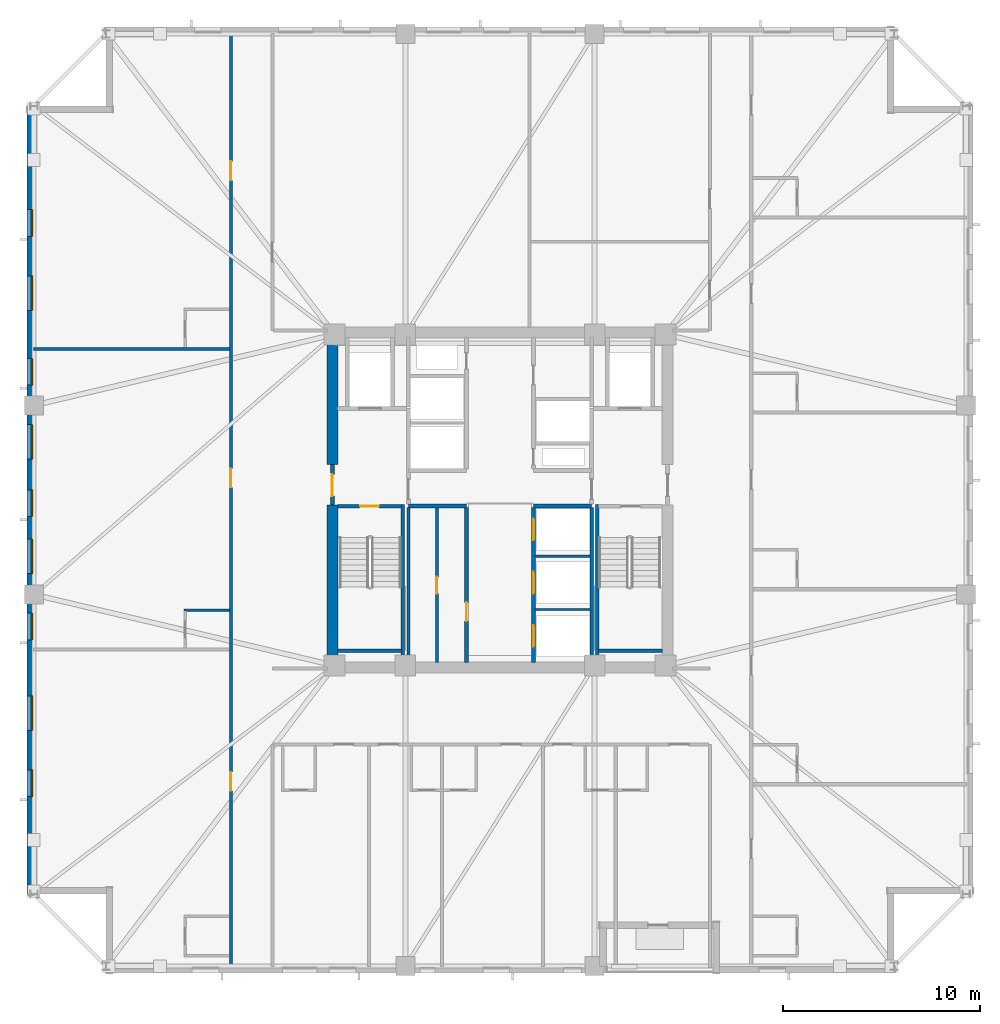
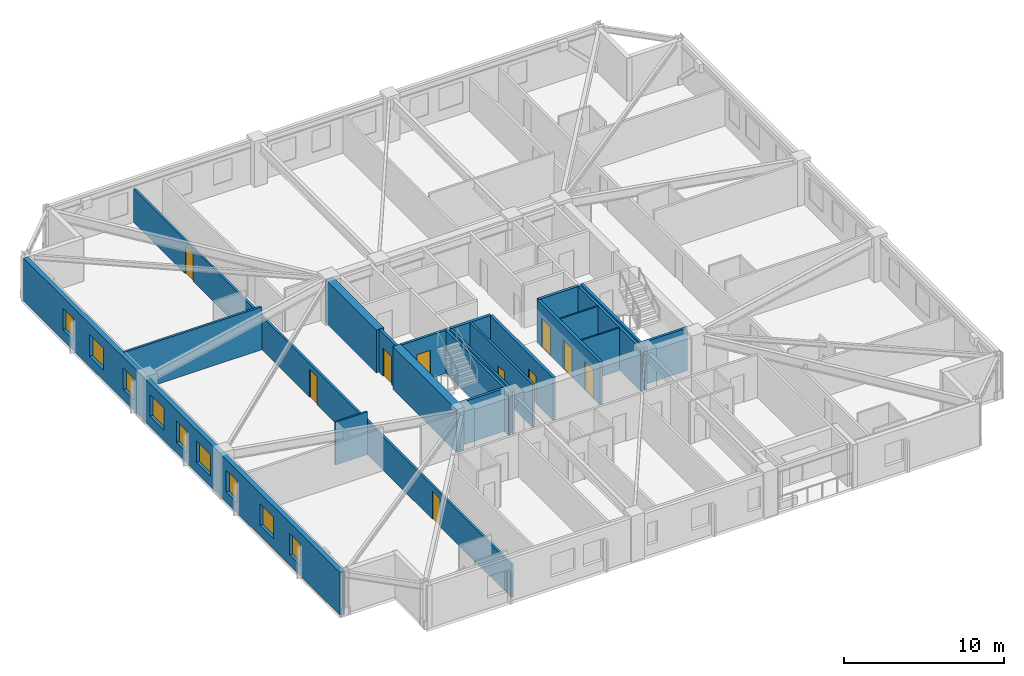
# One storey, part 3 of 11: 21 walls, 10 doors, 9 windows, 19 openings.
"""IFC4 building model written with IfcOpenShell, lengths in metres."""

import ifcopenshell
import ifcopenshell.guid

model = None  # the IFC model being written
_history = None  # IfcOwnerHistory: only IFC2X3 demands one
_inside = {}  # id of a spatial element -> (the spatial element, [elements in it])
_under = {}  # id of a project, library or spatial element -> (it, [spatial elements below it])
_declared = {}  # id of a project -> (the project, [libraries it declares])
_typed = {}  # id of a type object -> (the type object, [elements of that type])
_made_of = {}  # id of a material, layer set ... -> (it, [elements and type objects made of it])


def new_model(schema):
    """Start an empty IFC model of exactly this schema.

    Asked for "IFC4X3", IfcOpenShell would pick the latest addendum, in which some entities
    have other attributes; the version numbers below select the first issue.
    IFC2X3 requires an IfcOwnerHistory on every rooted entity: one is made here for all.
    """
    global model, _history
    if schema == "IFC4X3":
        model = ifcopenshell.file(schema_version=(4, 3, 0, 0))
    else:
        model = ifcopenshell.file(schema=schema)
    _inside.clear()
    _under.clear()
    _declared.clear()
    _typed.clear()
    _made_of.clear()
    _history = None
    if model.schema == "IFC2X3":
        org = make("IfcOrganization", Name="unknown")
        user = make(
            "IfcPersonAndOrganization",
            ThePerson=make("IfcPerson", FamilyName="unknown"),
            TheOrganization=org,
        )
        app = make(
            "IfcApplication",
            ApplicationDeveloper=org,
            Version="unknown",
            ApplicationFullName="unknown",
            ApplicationIdentifier="unknown",
        )
        _history = make(
            "IfcOwnerHistory",
            OwningUser=user,
            OwningApplication=app,
            ChangeAction="ADDED",
            CreationDate=0,
        )
    return model


def make(cls, **values):
    """One entity of the class cls with the attributes given. An attribute that is None is left unset."""
    return model.create_entity(
        cls, **{name: value for name, value in values.items() if value is not None}
    )


def rooted(cls, **values):
    """An entity with a GlobalId (a new one), such as an element, a storey or a relation."""
    return make(cls, GlobalId=ifcopenshell.guid.new(), OwnerHistory=_history, **values)


def si_unit(unit_type, name, prefix=None):
    """IfcSIUnit, for example si_unit("LENGTHUNIT", "METRE", prefix="MILLI")."""
    return make("IfcSIUnit", UnitType=unit_type, Prefix=prefix, Name=name)


def assignment(units):
    """IfcUnitAssignment: the units of a project."""
    return None if units is None else make("IfcUnitAssignment", Units=units)


def point(xyz):
    """IfcCartesianPoint."""
    return None if xyz is None else make("IfcCartesianPoint", Coordinates=xyz)


def direction(xyz):
    """IfcDirection."""
    return None if xyz is None else make("IfcDirection", DirectionRatios=xyz)


def frame(location, z_axis=None, x_axis=None):
    """IfcAxis2Placement3D, a coordinate frame: its origin and axes. An axis left out is left unset."""
    return make(
        "IfcAxis2Placement3D",
        Location=point(location),
        Axis=direction(z_axis),
        RefDirection=direction(x_axis),
    )


def frame_2d(location, x_axis=None):
    """IfcAxis2Placement2D, a coordinate frame in the plane: its origin and x axis."""
    return make(
        "IfcAxis2Placement2D", Location=point(location), RefDirection=direction(x_axis)
    )


def origin():
    """The frame at (0, 0, 0) with its axes left unset."""
    return frame((0.0, 0.0, 0.0))


def place(relative_to, where):
    """IfcLocalPlacement: puts the frame where relative to a parent placement (None: the world)."""
    return make(
        "IfcLocalPlacement", PlacementRelTo=relative_to, RelativePlacement=where
    )


def context(
    kind, dimensions, precision=None, world=None, true_north=None, identifier=None
):
    """IfcGeometricRepresentationContext, for example the 3D "Model" context."""
    return make(
        "IfcGeometricRepresentationContext",
        ContextIdentifier=identifier,
        ContextType=kind,
        CoordinateSpaceDimension=dimensions,
        Precision=precision,
        WorldCoordinateSystem=world,
        TrueNorth=true_north,
    )


def subcontext(parent, identifier, kind, view, scale=None):
    """IfcGeometricRepresentationSubContext, for example "Body" below "Model"."""
    return make(
        "IfcGeometricRepresentationSubContext",
        ContextIdentifier=identifier,
        ContextType=kind,
        ParentContext=parent,
        TargetScale=scale,
        TargetView=view,
    )


def project(units=None, contexts=None):
    """IfcProject with its units and contexts."""
    return rooted(
        "IfcProject",
        Name="project",
        RepresentationContexts=contexts,
        UnitsInContext=assignment(units),
    )


def spatial(cls, under=None, at=None, **own):
    """A site, building, storey or space (cls), placed at a placement, below another one or the project."""
    s = rooted(cls, ObjectPlacement=at, **own)
    if under is not None:
        _under.setdefault(under.id(), (under, []))[1].append(s)
    return s


def profile(cls, at=None, kind="AREA", **sizes):
    """A parametric profile (cls). Its sizes go by their IFC names, for example OverallWidth=200.0."""
    return make(cls, ProfileType=kind, Position=at, **sizes)


def rectangle(**sizes):
    """IfcRectangleProfileDef."""
    return profile("IfcRectangleProfileDef", **sizes)


def extrude(swept, where, along, depth):
    """IfcExtrudedAreaSolid: the profile swept, set in the frame where, extruded along a direction by depth."""
    return make(
        "IfcExtrudedAreaSolid",
        SweptArea=swept,
        Position=where,
        ExtrudedDirection=direction(along),
        Depth=depth,
    )


def shape(context_of_items, identifier, shape_type, items):
    """IfcShapeRepresentation: the items that make up one representation, for example the "Body"."""
    return make(
        "IfcShapeRepresentation",
        ContextOfItems=context_of_items,
        RepresentationIdentifier=identifier,
        RepresentationType=shape_type,
        Items=items,
    )


def material(Name=None, Category=None):
    """IfcMaterial."""
    return make("IfcMaterial", Name=Name, Category=Category)


def layer(
    of_material, thickness, ventilated=None, Name=None, Category=None, Priority=None
):
    """IfcMaterialLayer: one layer of a wall or slab, of a material (None: an air gap)."""
    return make(
        "IfcMaterialLayer",
        Material=of_material,
        LayerThickness=thickness,
        IsVentilated=ventilated,
        Name=Name,
        Category=Category,
        Priority=Priority,
    )


def layer_set(layers, Name=None):
    """IfcMaterialLayerSet."""
    return make("IfcMaterialLayerSet", MaterialLayers=layers, LayerSetName=Name)


def made_of(thing, what):
    """Note that an element or type object is made of a material, layer set ...; save() writes the relation."""
    if what is not None:
        _made_of.setdefault(what.id(), (what, []))[1].append(thing)
    return thing


def type_object(cls, material=None, **own):
    """A type object (cls), such as IfcWallType, which elements share."""
    return made_of(rooted(cls, **own), material)


def element(
    cls,
    number,
    at=None,
    inside=None,
    cuts=None,
    type_object=None,
    material=None,
    context=None,
    identifier="Body",
    shape_type=None,
    held_by="IfcProductDefinitionShape",
    body=None,
    shapes=None,
    **own,
):
    """One element of the class cls, such as IfcWall. Its Tag is "e" and its number.

    at: its placement. inside: the storey or other place that contains it. cuts: it is an
    opening in that element (IfcRelVoidsElement). A single representation is given by context,
    identifier, shape_type and body (its items); several are given by shapes. held_by: the class
    of the entity that holds the representations. save() writes the other relations.
    """
    e = rooted(cls, Tag="e%d" % number, ObjectPlacement=at, **own)
    if body is not None:
        shapes = [shape(context, identifier, shape_type, body)]
    if shapes is not None:
        e.Representation = make(held_by, Representations=shapes)
    if inside is not None:
        _inside.setdefault(inside.id(), (inside, []))[1].append(e)
    if cuts is not None:
        rooted(
            "IfcRelVoidsElement", RelatingBuildingElement=cuts, RelatedOpeningElement=e
        )
    if type_object is not None:
        _typed.setdefault(type_object.id(), (type_object, []))[1].append(e)
    return made_of(e, material)


def fill(opening, filler):
    """IfcRelFillsElement: the door or window that sits in an opening."""
    return rooted(
        "IfcRelFillsElement",
        RelatingOpeningElement=opening,
        RelatedBuildingElement=filler,
    )


def aggregate(whole, parts):
    """IfcRelAggregates: a whole, such as a stair, and the parts it consists of."""
    return rooted("IfcRelAggregates", RelatingObject=whole, RelatedObjects=parts)


def save(model, path):
    """Write the relations noted so far, then the file.

    IfcRelAggregates (storeys below a building ...), IfcRelContainedInSpatialStructure (elements
    in a storey), IfcRelDefinesByType, IfcRelAssociatesMaterial and IfcRelDeclares: one each for
    every whole, place, type object, material and project.
    """
    for whole, parts in _under.values():
        aggregate(whole, parts)
    for where, things in _inside.values():
        rooted(
            "IfcRelContainedInSpatialStructure",
            RelatedElements=things,
            RelatingStructure=where,
        )
    for kind, things in _typed.values():
        rooted("IfcRelDefinesByType", RelatedObjects=things, RelatingType=kind)
    for what, things in _made_of.values():
        rooted("IfcRelAssociatesMaterial", RelatedObjects=things, RelatingMaterial=what)
    for by, libraries in _declared.values():
        rooted("IfcRelDeclares", RelatingContext=by, RelatedDefinitions=libraries)
    model.write(path)


model = new_model("IFC4")

# Units and contexts
model_context = context("Model", 3, precision=1e-05, world=origin(), true_north=direction((0.0, 1.0)))
body_context = subcontext(model_context, "Body", "Model", "MODEL_VIEW")
ifc_project = project(units=[si_unit("LENGTHUNIT", "METRE"), si_unit("AREAUNIT", "SQUARE_METRE"), si_unit("VOLUMEUNIT", "CUBIC_METRE"), si_unit("PLANEANGLEUNIT", "RADIAN"), si_unit("MASSUNIT", "GRAM", prefix="KILO")], contexts=[model_context])

# Site, building, storey
site_placement = place(None, origin())
site = spatial("IfcSite", under=ifc_project, at=site_placement, CompositionType="ELEMENT")
building_placement = place(site_placement, origin())
building = spatial("IfcBuilding", under=site, at=building_placement, Name="Cairnveth Concourse Tower", CompositionType="ELEMENT")
storey_placement = place(building_placement, frame((0.0, 0.0, 162.0)))
storey = spatial("IfcBuildingStorey", under=building, at=storey_placement, Name="L44", CompositionType="ELEMENT", Elevation=162.0)

# Wall
ifc_material_1 = material(Name="Gypsum Plasterboard Partition", Category="gypsum")
ifc_layer_1 = layer(ifc_material_1, 0.159912109375)
ifc_layer_set_1 = layer_set([ifc_layer_1], Name="Gypsum Plasterboard Partition")
wall_type_1 = type_object("IfcWallType", Name="ACOUSTIC PARTY WALL 180", PredefinedType="PARTITIONING", material=ifc_layer_set_1)
wall_1_placement = place(storey_placement, frame((47.35009765625, 30.760009765625, 0.0), z_axis=(0.0, 0.0, 1.0), x_axis=(0.0, 1.0, 0.0)))
element("IfcWall", 1, at=wall_1_placement, inside=storey, type_object=wall_type_1, Name="Interior Wall IW-L44-025", PredefinedType="PARTITIONING", context=body_context, shape_type="SweptSolid", body=[
    extrude(rectangle(XDim=7.85498046875, YDim=0.159912109375, at=frame_2d((3.927490234375, 0.0))), origin(), (0.0, 0.0, 1.0), 3.280029296875),
])

# Wall, opening, door
wall_2_placement = place(storey_placement, frame((48.800048828125, 30.760009765625, 0.0), z_axis=(0.0, 0.0, 1.0), x_axis=(0.0, 1.0, 0.0)))
wall_2 = element("IfcWall", 2, at=wall_2_placement, inside=storey, type_object=wall_type_1, Name="Interior Wall IW-L44-026", PredefinedType="PARTITIONING", context=body_context, shape_type="SweptSolid", body=[
    extrude(rectangle(XDim=7.85498046875, YDim=0.159912109375, at=frame_2d((3.927490234375, 0.0))), origin(), (0.0, 0.0, 1.0), 3.280029296875),
])
opening_1_placement = place(wall_2_placement, frame((3.489990234375, 0.0, 0.0)))
opening_1 = element("IfcOpeningElement", 3, at=opening_1_placement, cuts=wall_2, Name="Opening ID19", PredefinedType="OPENING", context=body_context, shape_type="SweptSolid", body=[
    extrude(rectangle(XDim=0.85009765625, YDim=2.1201171875, at=frame_2d((0.425048828125, 1.06005859375))), frame((0.0, 0.08984375, 0.0), z_axis=(0.0, -1.0, 0.0), x_axis=(1.0, 0.0, 0.0)), (0.0, 0.0, 1.0), 0.179931640625),
])
ifc_material_2 = material(Name="Steel Grade 350", Category="steel")
door_type_1 = type_object("IfcDoorType", Name="CORE SERVICE DOOR 850X2100", OperationType="NOTDEFINED", PredefinedType="DOOR", material=ifc_material_2)
door_1_placement = place(opening_1_placement, origin())
door_1 = element("IfcDoor", 4, at=door_1_placement, inside=storey, type_object=door_type_1, Name="Inner Store Door L44", OperationType="SINGLE_SWING_RIGHT", OverallHeight=2.1201171875, OverallWidth=0.85009765625, PredefinedType="DOOR", context=body_context, shape_type="SweptSolid", body=[
    extrude(rectangle(XDim=0.85009765625, YDim=2.1201171875, at=frame_2d((0.425048828125, 1.06005859375))), frame((0.0, 0.02490234375, 0.0), z_axis=(0.0, -1.0, 0.0), x_axis=(1.0, 0.0, 0.0)), (0.0, 0.0, 1.0), 0.050048828125),
])
fill(opening_1, door_1)

# Wall, openings, doors
wall_3_placement = place(storey_placement, frame((38.35009765625, 15.324951171875, 0.0), z_axis=(0.0, 0.0, 1.0), x_axis=(0.0, 1.0, 0.0)))
wall_3 = element("IfcWall", 5, at=wall_3_placement, inside=storey, type_object=wall_type_1, Name="Interior Wall IW-L44-036", PredefinedType="PARTITIONING", context=body_context, shape_type="SweptSolid", body=[
    extrude(rectangle(XDim=47.35009765625, YDim=0.159912109375, at=frame_2d((23.675048828125, 0.0))), origin(), (0.0, 0.0, 1.0), 2.554931640625),
])
opening_2_placement = place(wall_3_placement, frame((8.912353515625, 0.0, 0.0)))
opening_2 = element("IfcOpeningElement", 6, at=opening_2_placement, cuts=wall_3, Name="Opening ID09", PredefinedType="OPENING", context=body_context, shape_type="SweptSolid", body=[
    extrude(rectangle(XDim=0.9599609375, YDim=2.14990234375, at=frame_2d((0.47998046875, 1.074951171875))), frame((0.0, 0.08984375, 0.0), z_axis=(0.0, -1.0, 0.0), x_axis=(1.0, 0.0, 0.0)), (0.0, 0.0, 1.0), 0.179931640625),
])
opening_3_placement = place(wall_3_placement, frame((24.312255859375, 0.0, 0.0)))
opening_3 = element("IfcOpeningElement", 7, at=opening_3_placement, cuts=wall_3, Name="Opening ID09", PredefinedType="OPENING", context=body_context, shape_type="SweptSolid", body=[
    extrude(rectangle(XDim=0.9599609375, YDim=2.14990234375, at=frame_2d((0.47998046875, 1.074951171875))), frame((0.0, 0.08984375, 0.0), z_axis=(0.0, -1.0, 0.0), x_axis=(1.0, 0.0, 0.0)), (0.0, 0.0, 1.0), 0.179931640625),
])
opening_4_placement = place(wall_3_placement, frame((39.89501953125, 0.0, 0.0)))
opening_4 = element("IfcOpeningElement", 8, at=opening_4_placement, cuts=wall_3, Name="Opening ID09", PredefinedType="OPENING", context=body_context, shape_type="SweptSolid", body=[
    extrude(rectangle(XDim=0.9599609375, YDim=2.14990234375, at=frame_2d((0.47998046875, 1.074951171875))), frame((0.0, 0.08984375, 0.0), z_axis=(0.0, -1.0, 0.0), x_axis=(1.0, 0.0, 0.0)), (0.0, 0.0, 1.0), 0.179931640625),
])
ifc_material_3 = material(Name="Solid Core Hardwood Timber Leaf", Category="wood")
door_type_2 = type_object("IfcDoorType", Name="HOTEL ENTRANCE DOOR 960X2150", OperationType="NOTDEFINED", PredefinedType="DOOR", material=ifc_material_3)
door_2_placement = place(opening_2_placement, origin())
door_2 = element("IfcDoor", 9, at=door_2_placement, inside=storey, type_object=door_type_2, Name="Hotel Room Door L44-W1", OperationType="SINGLE_SWING_LEFT", OverallHeight=2.14990234375, OverallWidth=0.9599609375, PredefinedType="DOOR", context=body_context, shape_type="SweptSolid", body=[
    extrude(rectangle(XDim=0.9599609375, YDim=2.14990234375, at=frame_2d((0.47998046875, 1.074951171875))), frame((0.0, 0.02490234375, 0.0), z_axis=(0.0, -1.0, 0.0), x_axis=(1.0, 0.0, 0.0)), (0.0, 0.0, 1.0), 0.050048828125),
])
fill(opening_2, door_2)
door_3_placement = place(opening_3_placement, origin())
door_3 = element("IfcDoor", 10, at=door_3_placement, inside=storey, type_object=door_type_2, Name="Hotel Room Door L44-W2", OperationType="SINGLE_SWING_LEFT", OverallHeight=2.14990234375, OverallWidth=0.9599609375, PredefinedType="DOOR", context=body_context, shape_type="SweptSolid", body=[
    extrude(rectangle(XDim=0.9599609375, YDim=2.14990234375, at=frame_2d((0.47998046875, 1.074951171875))), frame((0.0, 0.02490234375, 0.0), z_axis=(0.0, -1.0, 0.0), x_axis=(1.0, 0.0, 0.0)), (0.0, 0.0, 1.0), 0.050048828125),
])
fill(opening_3, door_3)
door_4_placement = place(opening_4_placement, origin())
door_4 = element("IfcDoor", 11, at=door_4_placement, inside=storey, type_object=door_type_2, Name="Hotel Room Door L44-W3", OperationType="SINGLE_SWING_LEFT", OverallHeight=2.14990234375, OverallWidth=0.9599609375, PredefinedType="DOOR", context=body_context, shape_type="SweptSolid", body=[
    extrude(rectangle(XDim=0.9599609375, YDim=2.14990234375, at=frame_2d((0.47998046875, 1.074951171875))), frame((0.0, 0.02490234375, 0.0), z_axis=(0.0, -1.0, 0.0), x_axis=(1.0, 0.0, 0.0)), (0.0, 0.0, 1.0), 0.050048828125),
])
fill(opening_4, door_4)

# Walls
wall_4_placement = place(storey_placement, frame((28.324951171875, 46.669921875, 0.0), z_axis=(0.0, 0.0, 1.0), x_axis=(1.0, 0.0, 0.0)))
element("IfcWall", 12, at=wall_4_placement, inside=storey, type_object=wall_type_1, Name="Interior Wall IW-L44-070", PredefinedType="PARTITIONING", context=body_context, shape_type="SweptSolid", body=[
    extrude(rectangle(XDim=9.945068359375, YDim=0.159912109375, at=frame_2d((4.97265625, 0.0))), origin(), (0.0, 0.0, 1.0), 3.280029296875),
])
ifc_material_4 = material(Name="Concrete N80 (80 MPa)", Category="concrete")
ifc_layer_2 = layer(ifc_material_4, 0.550048828125)
ifc_layer_set_2 = layer_set([ifc_layer_2], Name="Concrete N80 (80 MPa)")
wall_type_2 = type_object("IfcWallType", Name="CORE SHEAR WALL 550", PredefinedType="SHEAR", material=ifc_layer_set_2)
wall_5_placement = place(storey_placement, frame((43.5, 30.764892578125, 0.0), z_axis=(0.0, 0.0, 1.0), x_axis=(0.0, 1.0, 0.0)))
element("IfcWall", 13, at=wall_5_placement, inside=storey, type_object=wall_type_2, Name="Core West Shear Wall S L44", PredefinedType="SHEAR", context=body_context, shape_type="SweptSolid", body=[
    extrude(rectangle(XDim=7.985107421875, YDim=0.550048828125, at=frame_2d((3.99267578125, 0.0))), origin(), (0.0, 0.0, 1.0), 3.280029296875),
])
wall_6_placement = place(storey_placement, frame((43.5, 40.800048828125, 0.0), z_axis=(0.0, 0.0, 1.0), x_axis=(0.0, 1.0, 0.0)))
element("IfcWall", 14, at=wall_6_placement, inside=storey, type_object=wall_type_2, Name="Core West Shear Wall N L44", PredefinedType="SHEAR", context=body_context, shape_type="SweptSolid", body=[
    extrude(rectangle(XDim=6.43505859375, YDim=0.550048828125, at=frame_2d((3.217529296875, 0.0))), origin(), (0.0, 0.0, 1.0), 3.280029296875),
])
ifc_material_5 = material(Name="Concrete N50 (50 MPa)", Category="concrete")
ifc_layer_3 = layer(ifc_material_5, 0.179931640625)
ifc_layer_set_3 = layer_set([ifc_layer_3], Name="Concrete N50 (50 MPa)")
wall_type_3 = type_object("IfcWallType", Name="FIRE SHAFT WALL 180", PredefinedType="SOLIDWALL", material=ifc_layer_set_3)
wall_7_placement = place(storey_placement, frame((56.64990234375, 30.760009765625, 0.0), z_axis=(0.0, 0.0, 1.0), x_axis=(0.0, 1.0, 0.0)))
element("IfcWall", 15, at=wall_7_placement, inside=storey, type_object=wall_type_3, Name="Interior Wall IW-L44-027", PredefinedType="SOLIDWALL", context=body_context, shape_type="SweptSolid", body=[
    extrude(rectangle(XDim=7.85498046875, YDim=0.179931640625, at=frame_2d((3.927490234375, 0.0))), origin(), (0.0, 0.0, 1.0), 3.280029296875),
])

# Wall, opening, door
wall_8_placement = place(storey_placement, frame((43.764892578125, 38.68994140625, 0.0), z_axis=(0.0, 0.0, 1.0), x_axis=(1.0, 0.0, 0.0)))
wall_8 = element("IfcWall", 16, at=wall_8_placement, inside=storey, type_object=wall_type_3, Name="Stair ST-1 Shaft Wall NEAR L44", PredefinedType="SOLIDWALL", context=body_context, shape_type="SweptSolid", body=[
    extrude(rectangle(XDim=3.230224609375, YDim=0.179931640625, at=frame_2d((1.615234375, 0.0))), origin(), (0.0, 0.0, 1.0), 3.280029296875),
])
opening_5_placement = place(wall_8_placement, frame((1.139892578125, 0.0, 0.0)))
opening_5 = element("IfcOpeningElement", 17, at=opening_5_placement, cuts=wall_8, Name="Opening ID12", PredefinedType="OPENING", context=body_context, shape_type="SweptSolid", body=[
    extrude(rectangle(XDim=0.949951171875, YDim=2.14990234375, at=frame_2d((0.47509765625, 1.074951171875))), frame((0.0, 0.099853515625, 0.0), z_axis=(0.0, -1.0, 0.0), x_axis=(1.0, 0.0, 0.0)), (0.0, 0.0, 1.0), 0.199951171875),
])
door_type_3 = type_object("IfcDoorType", Name="FIRE STAIR DOOR 950X2150", OperationType="NOTDEFINED", PredefinedType="DOOR", material=ifc_material_2)
door_5_placement = place(opening_5_placement, origin())
door_5 = element("IfcDoor", 18, at=door_5_placement, inside=storey, type_object=door_type_3, Name="Stair ST-1 Fire Door L44", OperationType="SINGLE_SWING_LEFT", OverallHeight=2.14990234375, OverallWidth=0.949951171875, PredefinedType="DOOR", context=body_context, shape_type="SweptSolid", body=[
    extrude(rectangle(XDim=0.949951171875, YDim=2.14990234375, at=frame_2d((0.47509765625, 1.074951171875))), frame((0.0, 0.02490234375, 0.0), z_axis=(0.0, -1.0, 0.0), x_axis=(1.0, 0.0, 0.0)), (0.0, 0.0, 1.0), 0.050048828125),
])
fill(opening_5, door_5)

# Walls
wall_9_placement = place(storey_placement, frame((43.764892578125, 31.360107421875, 0.0), z_axis=(0.0, 0.0, 1.0), x_axis=(1.0, 0.0, 0.0)))
element("IfcWall", 19, at=wall_9_placement, inside=storey, type_object=wall_type_3, Name="Stair ST-1 Shaft Wall FAR L44", PredefinedType="SOLIDWALL", context=body_context, shape_type="SweptSolid", body=[
    extrude(rectangle(XDim=3.230224609375, YDim=0.179931640625, at=frame_2d((1.615234375, 0.0))), origin(), (0.0, 0.0, 1.0), 3.280029296875),
])
wall_10_placement = place(storey_placement, frame((47.070068359375, 38.780029296875, 0.0), z_axis=(0.0, 0.0, 1.0), x_axis=(0.0, -1.0, 0.0)))
element("IfcWall", 20, at=wall_10_placement, inside=storey, type_object=wall_type_3, Name="Stair ST-1 Shaft Wall RGHT L44", PredefinedType="SOLIDWALL", context=body_context, shape_type="SweptSolid", body=[
    extrude(rectangle(XDim=8.01708984375, YDim=0.179931640625, at=frame_2d((4.008544921875, 0.0))), origin(), (0.0, 0.0, 1.0), 3.280029296875),
])
wall_11_placement = place(storey_placement, frame((57.0048828125, 31.360107421875, 0.0), z_axis=(0.0, 0.0, 1.0), x_axis=(1.0, 0.0, 0.0)))
element("IfcWall", 21, at=wall_11_placement, inside=storey, type_object=wall_type_3, Name="Stair ST-2 Shaft Wall FAR L44", PredefinedType="SOLIDWALL", context=body_context, shape_type="SweptSolid", body=[
    extrude(rectangle(XDim=3.230224609375, YDim=0.179931640625, at=frame_2d((1.615234375, 0.0))), origin(), (0.0, 0.0, 1.0), 3.280029296875),
])
wall_12_placement = place(storey_placement, frame((56.929931640625, 38.780029296875, 0.0), z_axis=(0.0, 0.0, 1.0), x_axis=(0.0, -1.0, 0.0)))
element("IfcWall", 22, at=wall_12_placement, inside=storey, type_object=wall_type_3, Name="Stair ST-2 Shaft Wall LEFT L44", PredefinedType="SOLIDWALL", context=body_context, shape_type="SweptSolid", body=[
    extrude(rectangle(XDim=8.01708984375, YDim=0.179931640625, at=frame_2d((4.008544921875, 0.0))), origin(), (0.0, 0.0, 1.0), 3.280029296875),
])
ifc_layer_4 = layer(ifc_material_5, 0.199951171875)
ifc_layer_set_4 = layer_set([ifc_layer_4], Name="Concrete N50 (50 MPa)")
wall_type_4 = type_object("IfcWallType", Name="FIRE SHAFT WALL 200", PredefinedType="SOLIDWALL", material=ifc_layer_set_4)
for number, where, z_axis, x_axis, name in (
    (23, (47.35009765625, 38.699951171875, 0.0), (0.0, 0.0, 1.0), (1.0, 0.0, 0.0), "Interior Wall IW-L44-007"),
    (24, (53.699951171875, 38.699951171875, 0.0), (0.0, 0.0, 1.0), (1.0, 0.0, 0.0), "Interior Wall IW-L44-009"),
):
    element("IfcWall", number, at=place(storey_placement, frame(where, z_axis=z_axis, x_axis=x_axis)), inside=storey, type_object=wall_type_4, Name=name, PredefinedType="SOLIDWALL", context=body_context, shape_type="SweptSolid", body=[
        extrude(rectangle(XDim=2.949951171875, YDim=0.199951171875, at=frame_2d((1.47509765625, 0.0))), origin(), (0.0, 0.0, 1.0), 3.280029296875),
    ])

# Wall, opening, door
wall_13_placement = place(storey_placement, frame((50.300048828125, 30.760009765625, 0.0), z_axis=(0.0, 0.0, 1.0), x_axis=(0.0, 1.0, 0.0)))
wall_13 = element("IfcWall", 25, at=wall_13_placement, inside=storey, type_object=wall_type_4, Name="Interior Wall IW-L44-011", PredefinedType="SOLIDWALL", context=body_context, shape_type="SweptSolid", body=[
    extrude(rectangle(XDim=7.85498046875, YDim=0.199951171875, at=frame_2d((3.927490234375, 0.0))), origin(), (0.0, 0.0, 1.0), 3.280029296875),
])
opening_6_placement = place(wall_13_placement, frame((2.090087890625, 0.0, 0.0)))
opening_6 = element("IfcOpeningElement", 26, at=opening_6_placement, cuts=wall_13, Name="Opening ID25", PredefinedType="OPENING", context=body_context, shape_type="SweptSolid", body=[
    extrude(rectangle(XDim=0.949951171875, YDim=2.1201171875, at=frame_2d((0.47509765625, 1.06005859375))), frame((0.0, 0.10986328125, 0.0), z_axis=(0.0, -1.0, 0.0), x_axis=(1.0, 0.0, 0.0)), (0.0, 0.0, 1.0), 0.219970703125),
])
door_type_4 = type_object("IfcDoorType", Name="CORE ACCESSIBLE FIRE DOOR 950X2120", OperationType="NOTDEFINED", PredefinedType="DOOR", material=ifc_material_2)
door_6_placement = place(opening_6_placement, origin())
door_6 = element("IfcDoor", 27, at=door_6_placement, inside=storey, type_object=door_type_4, Name="Accessible WC Suite Door L44", OperationType="SINGLE_SWING_LEFT", OverallHeight=2.1201171875, OverallWidth=0.949951171875, PredefinedType="DOOR", context=body_context, shape_type="SweptSolid", body=[
    extrude(rectangle(XDim=0.949951171875, YDim=2.1201171875, at=frame_2d((0.47509765625, 1.06005859375))), frame((0.0, 0.02490234375, 0.0), z_axis=(0.0, -1.0, 0.0), x_axis=(1.0, 0.0, 0.0)), (0.0, 0.0, 1.0), 0.050048828125),
])
fill(opening_6, door_6)

# Wall, openings, doors
wall_14_placement = place(storey_placement, frame((53.699951171875, 30.760009765625, 0.0), z_axis=(0.0, 0.0, 1.0), x_axis=(0.0, 1.0, 0.0)))
wall_14 = element("IfcWall", 28, at=wall_14_placement, inside=storey, type_object=wall_type_4, Name="Interior Wall IW-L44-012", PredefinedType="SOLIDWALL", context=body_context, shape_type="SweptSolid", body=[
    extrude(rectangle(XDim=7.85498046875, YDim=0.199951171875, at=frame_2d((3.927490234375, 0.0))), origin(), (0.0, 0.0, 1.0), 3.280029296875),
])
opening_7_placement = place(wall_14_placement, frame((0.7900390625, 0.0, 0.0)))
opening_7 = element("IfcOpeningElement", 29, at=opening_7_placement, cuts=wall_14, Name="Opening LD-1", PredefinedType="OPENING", context=body_context, shape_type="SweptSolid", body=[
    extrude(rectangle(XDim=1.10009765625, YDim=2.199951171875, at=frame_2d((0.550048828125, 1.10009765625))), frame((0.0, 0.10986328125, 0.0), z_axis=(0.0, -1.0, 0.0), x_axis=(1.0, 0.0, 0.0)), (0.0, 0.0, 1.0), 0.219970703125),
])
opening_8_placement = place(wall_14_placement, frame((3.489990234375, 0.0, 0.0)))
opening_8 = element("IfcOpeningElement", 30, at=opening_8_placement, cuts=wall_14, Name="Opening LD-1", PredefinedType="OPENING", context=body_context, shape_type="SweptSolid", body=[
    extrude(rectangle(XDim=1.10009765625, YDim=2.199951171875, at=frame_2d((0.550048828125, 1.10009765625))), frame((0.0, 0.10986328125, 0.0), z_axis=(0.0, -1.0, 0.0), x_axis=(1.0, 0.0, 0.0)), (0.0, 0.0, 1.0), 0.219970703125),
])
opening_9_placement = place(wall_14_placement, frame((6.18994140625, 0.0, 0.0)))
opening_9 = element("IfcOpeningElement", 31, at=opening_9_placement, cuts=wall_14, Name="Opening LD-1", PredefinedType="OPENING", context=body_context, shape_type="SweptSolid", body=[
    extrude(rectangle(XDim=1.10009765625, YDim=2.199951171875, at=frame_2d((0.550048828125, 1.10009765625))), frame((0.0, 0.10986328125, 0.0), z_axis=(0.0, -1.0, 0.0), x_axis=(1.0, 0.0, 0.0)), (0.0, 0.0, 1.0), 0.219970703125),
])
ifc_material_6 = material(Name="Architectural Bronze Anodised Aluminium 6063-T6", Category="aluminium")
door_type_5 = type_object("IfcDoorType", Name="LIFT LANDING DOOR 1100X2200", OperationType="SLIDING_TO_LEFT", PredefinedType="DOOR", material=ifc_material_6)
door_7_placement = place(opening_7_placement, origin())
door_7 = element("IfcDoor", 32, at=door_7_placement, inside=storey, type_object=door_type_5, Name="Lift PL4 Landing Door L44", OperationType="SLIDING_TO_LEFT", OverallHeight=2.199951171875, OverallWidth=1.10009765625, PredefinedType="DOOR", context=body_context, shape_type="SweptSolid", body=[
    extrude(rectangle(XDim=1.10009765625, YDim=2.199951171875, at=frame_2d((0.550048828125, 1.10009765625))), frame((0.0, 0.02490234375, 0.0), z_axis=(0.0, -1.0, 0.0), x_axis=(1.0, 0.0, 0.0)), (0.0, 0.0, 1.0), 0.050048828125),
])
fill(opening_7, door_7)
door_8_placement = place(opening_8_placement, origin())
door_8 = element("IfcDoor", 33, at=door_8_placement, inside=storey, type_object=door_type_5, Name="Lift PL5 Landing Door L44", OperationType="SLIDING_TO_LEFT", OverallHeight=2.199951171875, OverallWidth=1.10009765625, PredefinedType="DOOR", context=body_context, shape_type="SweptSolid", body=[
    extrude(rectangle(XDim=1.10009765625, YDim=2.199951171875, at=frame_2d((0.550048828125, 1.10009765625))), frame((0.0, 0.02490234375, 0.0), z_axis=(0.0, -1.0, 0.0), x_axis=(1.0, 0.0, 0.0)), (0.0, 0.0, 1.0), 0.050048828125),
])
fill(opening_8, door_8)
door_9_placement = place(opening_9_placement, origin())
door_9 = element("IfcDoor", 34, at=door_9_placement, inside=storey, type_object=door_type_5, Name="Lift PL6 Landing Door L44", OperationType="SLIDING_TO_LEFT", OverallHeight=2.199951171875, OverallWidth=1.10009765625, PredefinedType="DOOR", context=body_context, shape_type="SweptSolid", body=[
    extrude(rectangle(XDim=1.10009765625, YDim=2.199951171875, at=frame_2d((0.550048828125, 1.10009765625))), frame((0.0, 0.02490234375, 0.0), z_axis=(0.0, -1.0, 0.0), x_axis=(1.0, 0.0, 0.0)), (0.0, 0.0, 1.0), 0.050048828125),
])
fill(opening_9, door_9)

# Wall, opening, door
wall_15_placement = place(storey_placement, frame((43.5, 38.75, 0.0), z_axis=(0.0, 0.0, 1.0), x_axis=(0.0, 1.0, 0.0)))
wall_15 = element("IfcWall", 35, at=wall_15_placement, inside=storey, type_object=wall_type_4, Name="Interior Wall IW-L44-015", PredefinedType="SOLIDWALL", context=body_context, shape_type="SweptSolid", body=[
    extrude(rectangle(XDim=2.050048828125, YDim=0.199951171875, at=frame_2d((1.02490234375, 0.0))), origin(), (0.0, 0.0, 1.0), 3.280029296875),
])
opening_10_placement = place(wall_15_placement, frame((0.449951171875, 0.0, 0.0)))
opening_10 = element("IfcOpeningElement", 36, at=opening_10_placement, cuts=wall_15, Name="Opening ID06", PredefinedType="OPENING", context=body_context, shape_type="SweptSolid", body=[
    extrude(rectangle(XDim=1.10009765625, YDim=2.14990234375, at=frame_2d((0.550048828125, 1.074951171875))), frame((0.0, 0.10986328125, 0.0), z_axis=(0.0, -1.0, 0.0), x_axis=(1.0, 0.0, 0.0)), (0.0, 0.0, 1.0), 0.219970703125),
])
door_type_6 = type_object("IfcDoorType", Name="FIRE CORRIDOR DOOR 1100X2150", OperationType="NOTDEFINED", PredefinedType="DOOR", material=ifc_material_2)
door_10_placement = place(opening_10_placement, origin())
door_10 = element("IfcDoor", 37, at=door_10_placement, inside=storey, type_object=door_type_6, Name="West Wing to FF Lobby Door L44", OperationType="SINGLE_SWING_LEFT", OverallHeight=2.14990234375, OverallWidth=1.10009765625, PredefinedType="DOOR", context=body_context, shape_type="SweptSolid", body=[
    extrude(rectangle(XDim=1.10009765625, YDim=2.14990234375, at=frame_2d((0.550048828125, 1.074951171875))), frame((0.0, 0.02490234375, 0.0), z_axis=(0.0, -1.0, 0.0), x_axis=(1.0, 0.0, 0.0)), (0.0, 0.0, 1.0), 0.050048828125),
])
fill(opening_10, door_10)

# Walls
ifc_layer_5 = layer(ifc_material_1, 0.110107421875)
ifc_layer_set_5 = layer_set([ifc_layer_5], Name="Gypsum Plasterboard Partition")
wall_type_5 = type_object("IfcWallType", Name="SHAFT DIVIDER WALL 140", PredefinedType="PARTITIONING", material=ifc_layer_set_5)
for number, where, z_axis, x_axis, name in (
    (38, (53.784912109375, 33.449951171875, 0.0), (0.0, 0.0, 1.0), (1.0, 0.0, 0.0), "Interior Wall IW-L44-028"),
    (39, (53.784912109375, 36.14990234375, 0.0), (0.0, 0.0, 1.0), (1.0, 0.0, 0.0), "Interior Wall IW-L44-029"),
):
    element("IfcWall", number, at=place(storey_placement, frame(where, z_axis=z_axis, x_axis=x_axis)), inside=storey, type_object=wall_type_5, Name=name, PredefinedType="PARTITIONING", context=body_context, shape_type="SweptSolid", body=[
        extrude(rectangle(XDim=2.7900390625, YDim=0.110107421875, at=frame_2d((1.39501953125, 0.0))), origin(), (0.0, 0.0, 1.0), 3.280029296875),
    ])
ifc_layer_6 = layer(ifc_material_1, 0.1298828125)
ifc_layer_set_6 = layer_set([ifc_layer_6], Name="Gypsum Plasterboard Partition")
wall_type_6 = type_object("IfcWallType", Name="WET AREA PARTITION 140", PredefinedType="PLUMBINGWALL", material=ifc_layer_set_6)
wall_16_placement = place(storey_placement, frame((35.969970703125, 33.41455078125, 0.0), z_axis=(0.0, 0.0, 1.0), x_axis=(1.0, 0.0, 0.0)))
element("IfcWall", 40, at=wall_16_placement, inside=storey, type_object=wall_type_6, Name="Interior Wall IW-L44-068", PredefinedType="PLUMBINGWALL", context=body_context, shape_type="SweptSolid", body=[
    extrude(rectangle(XDim=2.31494140625, YDim=0.1298828125, at=frame_2d((1.157470703125, 0.0))), origin(), (0.0, 0.0, 1.0), 3.280029296875),
])

# Wall, openings, windows
ifc_material_7 = material(Name="Hawthorn Red-Ochre Fired Clay Brick Masonry", Category="masonry")
ifc_layer_7 = layer(ifc_material_7, 0.340087890625)
ifc_layer_set_7 = layer_set([ifc_layer_7], Name="Hawthorn Red-Ochre Fired Clay Brick Masonry")
wall_type_7 = type_object("IfcWallType", Name="ZONE 2 BRICK PIER SPANDREL WALL 340", PredefinedType="SOLIDWALL", material=ifc_layer_set_7)
wall_17_placement = place(storey_placement, frame((28.169921875, 19.0, 0.0), z_axis=(0.0, 0.0, 1.0), x_axis=(0.0, 1.0, 0.0)))
wall_17 = element("IfcWall", 41, at=wall_17_placement, inside=storey, type_object=wall_type_7, Name="Exterior Wall EW-L44-S03", PredefinedType="SOLIDWALL", context=body_context, shape_type="SweptSolid", body=[
    extrude(rectangle(XDim=39.681884765625, YDim=0.340087890625, at=frame_2d((19.8408203125, 0.0))), origin(), (0.0, 0.0, 1.0), 3.280029296875),
])
opening_11_placement = place(wall_17_placement, frame((4.951904296875, 0.0, 0.800048828125)))
opening_11 = element("IfcOpeningElement", 42, at=opening_11_placement, cuts=wall_17, Name="Opening W02", PredefinedType="OPENING", context=body_context, shape_type="SweptSolid", body=[
    extrude(rectangle(XDim=1.35009765625, YDim=1.659912109375, at=frame_2d((0.675048828125, 0.830078125))), frame((0.0, 0.179931640625, 0.0), z_axis=(0.0, -1.0, 0.0), x_axis=(1.0, 0.0, 0.0)), (0.0, 0.0, 1.0), 0.360107421875),
])
opening_12_placement = place(wall_17_placement, frame((8.305419921875, 0.0, 0.800048828125)))
opening_12 = element("IfcOpeningElement", 43, at=opening_12_placement, cuts=wall_17, Name="Opening W06", PredefinedType="OPENING", context=body_context, shape_type="SweptSolid", body=[
    extrude(rectangle(XDim=1.75, YDim=1.659912109375, at=frame_2d((0.875, 0.830078125))), frame((0.0, 0.179931640625, 0.0), z_axis=(0.0, -1.0, 0.0), x_axis=(1.0, 0.0, 0.0)), (0.0, 0.0, 1.0), 0.360107421875),
])
opening_13_placement = place(wall_17_placement, frame((12.908935546875, 0.0, 0.800048828125)))
opening_13 = element("IfcOpeningElement", 44, at=opening_13_placement, cuts=wall_17, Name="Opening W02", PredefinedType="OPENING", context=body_context, shape_type="SweptSolid", body=[
    extrude(rectangle(XDim=1.35009765625, YDim=1.659912109375, at=frame_2d((0.675048828125, 0.830078125))), frame((0.0, 0.179931640625, 0.0), z_axis=(0.0, -1.0, 0.0), x_axis=(1.0, 0.0, 0.0)), (0.0, 0.0, 1.0), 0.360107421875),
])
opening_14_placement = place(wall_17_placement, frame((16.262451171875, 0.0, 0.800048828125)))
opening_14 = element("IfcOpeningElement", 45, at=opening_14_placement, cuts=wall_17, Name="Opening W06", PredefinedType="OPENING", context=body_context, shape_type="SweptSolid", body=[
    extrude(rectangle(XDim=1.75, YDim=1.659912109375, at=frame_2d((0.875, 0.830078125))), frame((0.0, 0.179931640625, 0.0), z_axis=(0.0, -1.0, 0.0), x_axis=(1.0, 0.0, 0.0)), (0.0, 0.0, 1.0), 0.360107421875),
])
opening_15_placement = place(wall_17_placement, frame((19.166015625, 0.0, 0.800048828125)))
opening_15 = element("IfcOpeningElement", 46, at=opening_15_placement, cuts=wall_17, Name="Opening W02", PredefinedType="OPENING", context=body_context, shape_type="SweptSolid", body=[
    extrude(rectangle(XDim=1.35009765625, YDim=1.659912109375, at=frame_2d((0.675048828125, 0.830078125))), frame((0.0, 0.179931640625, 0.0), z_axis=(0.0, -1.0, 0.0), x_axis=(1.0, 0.0, 0.0)), (0.0, 0.0, 1.0), 0.360107421875),
])
opening_16_placement = place(wall_17_placement, frame((22.069580078125, 0.0, 0.800048828125)))
opening_16 = element("IfcOpeningElement", 47, at=opening_16_placement, cuts=wall_17, Name="Opening W06", PredefinedType="OPENING", context=body_context, shape_type="SweptSolid", body=[
    extrude(rectangle(XDim=1.75, YDim=1.659912109375, at=frame_2d((0.875, 0.830078125))), frame((0.0, 0.179931640625, 0.0), z_axis=(0.0, -1.0, 0.0), x_axis=(1.0, 0.0, 0.0)), (0.0, 0.0, 1.0), 0.360107421875),
])
opening_17_placement = place(wall_17_placement, frame((25.822998046875, 0.0, 0.800048828125)))
opening_17 = element("IfcOpeningElement", 48, at=opening_17_placement, cuts=wall_17, Name="Opening W02", PredefinedType="OPENING", context=body_context, shape_type="SweptSolid", body=[
    extrude(rectangle(XDim=1.35009765625, YDim=1.659912109375, at=frame_2d((0.675048828125, 0.830078125))), frame((0.0, 0.179931640625, 0.0), z_axis=(0.0, -1.0, 0.0), x_axis=(1.0, 0.0, 0.0)), (0.0, 0.0, 1.0), 0.360107421875),
])
opening_18_placement = place(wall_17_placement, frame((29.626708984375, 0.0, 0.800048828125)))
opening_18 = element("IfcOpeningElement", 49, at=opening_18_placement, cuts=wall_17, Name="Opening W06", PredefinedType="OPENING", context=body_context, shape_type="SweptSolid", body=[
    extrude(rectangle(XDim=1.75, YDim=1.659912109375, at=frame_2d((0.875, 0.830078125))), frame((0.0, 0.179931640625, 0.0), z_axis=(0.0, -1.0, 0.0), x_axis=(1.0, 0.0, 0.0)), (0.0, 0.0, 1.0), 0.360107421875),
])
opening_19_placement = place(wall_17_placement, frame((33.380126953125, 0.0, 0.800048828125)))
opening_19 = element("IfcOpeningElement", 50, at=opening_19_placement, cuts=wall_17, Name="Opening W02", PredefinedType="OPENING", context=body_context, shape_type="SweptSolid", body=[
    extrude(rectangle(XDim=1.35009765625, YDim=1.659912109375, at=frame_2d((0.675048828125, 0.830078125))), frame((0.0, 0.179931640625, 0.0), z_axis=(0.0, -1.0, 0.0), x_axis=(1.0, 0.0, 0.0)), (0.0, 0.0, 1.0), 0.360107421875),
])
ifc_material_8 = material(Name="Double Glazed Low-E Clear Glass", Category="glass")
window_type_1 = type_object("IfcWindowType", Name="DEEP-SET GOTHIC LANCET WINDOW 1350X1800", PartitioningType="DOUBLE_PANEL_VERTICAL", PredefinedType="WINDOW", material=ifc_material_8)
window_1_placement = place(opening_11_placement, origin())
window_1 = element("IfcWindow", 51, at=window_1_placement, inside=storey, type_object=window_type_1, Name="Gothic Lancet Window L44-3-1", OverallHeight=1.659912109375, OverallWidth=1.35009765625, PartitioningType="SINGLE_PANEL", PredefinedType="WINDOW", context=body_context, shape_type="SweptSolid", body=[
    extrude(rectangle(XDim=1.35009765625, YDim=1.659912109375, at=frame_2d((0.675048828125, 0.830078125))), frame((0.0, -0.050048828125, 0.0), z_axis=(0.0, -1.0, 0.0), x_axis=(1.0, 0.0, 0.0)), (0.0, 0.0, 1.0), 0.06005859375),
])
fill(opening_11, window_1)
window_2_placement = place(opening_13_placement, origin())
window_2 = element("IfcWindow", 52, at=window_2_placement, inside=storey, type_object=window_type_1, Name="Gothic Lancet Window L44-3-3", OverallHeight=1.659912109375, OverallWidth=1.35009765625, PartitioningType="SINGLE_PANEL", PredefinedType="WINDOW", context=body_context, shape_type="SweptSolid", body=[
    extrude(rectangle(XDim=1.35009765625, YDim=1.659912109375, at=frame_2d((0.675048828125, 0.830078125))), frame((0.0, -0.050048828125, 0.0), z_axis=(0.0, -1.0, 0.0), x_axis=(1.0, 0.0, 0.0)), (0.0, 0.0, 1.0), 0.06005859375),
])
fill(opening_13, window_2)
window_3_placement = place(opening_15_placement, origin())
window_3 = element("IfcWindow", 53, at=window_3_placement, inside=storey, type_object=window_type_1, Name="Gothic Lancet Window L44-3-5", OverallHeight=1.659912109375, OverallWidth=1.35009765625, PartitioningType="SINGLE_PANEL", PredefinedType="WINDOW", context=body_context, shape_type="SweptSolid", body=[
    extrude(rectangle(XDim=1.35009765625, YDim=1.659912109375, at=frame_2d((0.675048828125, 0.830078125))), frame((0.0, -0.050048828125, 0.0), z_axis=(0.0, -1.0, 0.0), x_axis=(1.0, 0.0, 0.0)), (0.0, 0.0, 1.0), 0.06005859375),
])
fill(opening_15, window_3)
window_4_placement = place(opening_17_placement, origin())
window_4 = element("IfcWindow", 54, at=window_4_placement, inside=storey, type_object=window_type_1, Name="Gothic Lancet Window L44-3-7", OverallHeight=1.659912109375, OverallWidth=1.35009765625, PartitioningType="SINGLE_PANEL", PredefinedType="WINDOW", context=body_context, shape_type="SweptSolid", body=[
    extrude(rectangle(XDim=1.35009765625, YDim=1.659912109375, at=frame_2d((0.675048828125, 0.830078125))), frame((0.0, -0.050048828125, 0.0), z_axis=(0.0, -1.0, 0.0), x_axis=(1.0, 0.0, 0.0)), (0.0, 0.0, 1.0), 0.06005859375),
])
fill(opening_17, window_4)
window_5_placement = place(opening_19_placement, origin())
window_5 = element("IfcWindow", 55, at=window_5_placement, inside=storey, type_object=window_type_1, Name="Gothic Lancet Window L44-3-9", OverallHeight=1.659912109375, OverallWidth=1.35009765625, PartitioningType="SINGLE_PANEL", PredefinedType="WINDOW", context=body_context, shape_type="SweptSolid", body=[
    extrude(rectangle(XDim=1.35009765625, YDim=1.659912109375, at=frame_2d((0.675048828125, 0.830078125))), frame((0.0, -0.050048828125, 0.0), z_axis=(0.0, -1.0, 0.0), x_axis=(1.0, 0.0, 0.0)), (0.0, 0.0, 1.0), 0.06005859375),
])
fill(opening_19, window_5)
window_type_2 = type_object("IfcWindowType", Name="DEEP-SET HOTEL SUITE WINDOW 1750X1800", PartitioningType="DOUBLE_PANEL_VERTICAL", PredefinedType="WINDOW", material=ifc_material_8)
window_6_placement = place(opening_12_placement, origin())
window_6 = element("IfcWindow", 56, at=window_6_placement, inside=storey, type_object=window_type_2, Name="Gothic Lancet Window L44-3-2", OverallHeight=1.659912109375, OverallWidth=1.75, PartitioningType="SINGLE_PANEL", PredefinedType="WINDOW", context=body_context, shape_type="SweptSolid", body=[
    extrude(rectangle(XDim=1.75, YDim=1.659912109375, at=frame_2d((0.875, 0.830078125))), frame((0.0, -0.050048828125, 0.0), z_axis=(0.0, -1.0, 0.0), x_axis=(1.0, 0.0, 0.0)), (0.0, 0.0, 1.0), 0.06005859375),
])
fill(opening_12, window_6)
window_7_placement = place(opening_14_placement, origin())
window_7 = element("IfcWindow", 57, at=window_7_placement, inside=storey, type_object=window_type_2, Name="Gothic Lancet Window L44-3-4", OverallHeight=1.659912109375, OverallWidth=1.75, PartitioningType="SINGLE_PANEL", PredefinedType="WINDOW", context=body_context, shape_type="SweptSolid", body=[
    extrude(rectangle(XDim=1.75, YDim=1.659912109375, at=frame_2d((0.875, 0.830078125))), frame((0.0, -0.050048828125, 0.0), z_axis=(0.0, -1.0, 0.0), x_axis=(1.0, 0.0, 0.0)), (0.0, 0.0, 1.0), 0.06005859375),
])
fill(opening_14, window_7)
window_8_placement = place(opening_16_placement, origin())
window_8 = element("IfcWindow", 58, at=window_8_placement, inside=storey, type_object=window_type_2, Name="Gothic Lancet Window L44-3-6", OverallHeight=1.659912109375, OverallWidth=1.75, PartitioningType="SINGLE_PANEL", PredefinedType="WINDOW", context=body_context, shape_type="SweptSolid", body=[
    extrude(rectangle(XDim=1.75, YDim=1.659912109375, at=frame_2d((0.875, 0.830078125))), frame((0.0, -0.050048828125, 0.0), z_axis=(0.0, -1.0, 0.0), x_axis=(1.0, 0.0, 0.0)), (0.0, 0.0, 1.0), 0.06005859375),
])
fill(opening_16, window_8)
window_9_placement = place(opening_18_placement, origin())
window_9 = element("IfcWindow", 59, at=window_9_placement, inside=storey, type_object=window_type_2, Name="Gothic Lancet Window L44-3-8", OverallHeight=1.659912109375, OverallWidth=1.75, PartitioningType="SINGLE_PANEL", PredefinedType="WINDOW", context=body_context, shape_type="SweptSolid", body=[
    extrude(rectangle(XDim=1.75, YDim=1.659912109375, at=frame_2d((0.875, 0.830078125))), frame((0.0, -0.050048828125, 0.0), z_axis=(0.0, -1.0, 0.0), x_axis=(1.0, 0.0, 0.0)), (0.0, 0.0, 1.0), 0.06005859375),
])
fill(opening_18, window_9)

save(model, "model.ifc")
